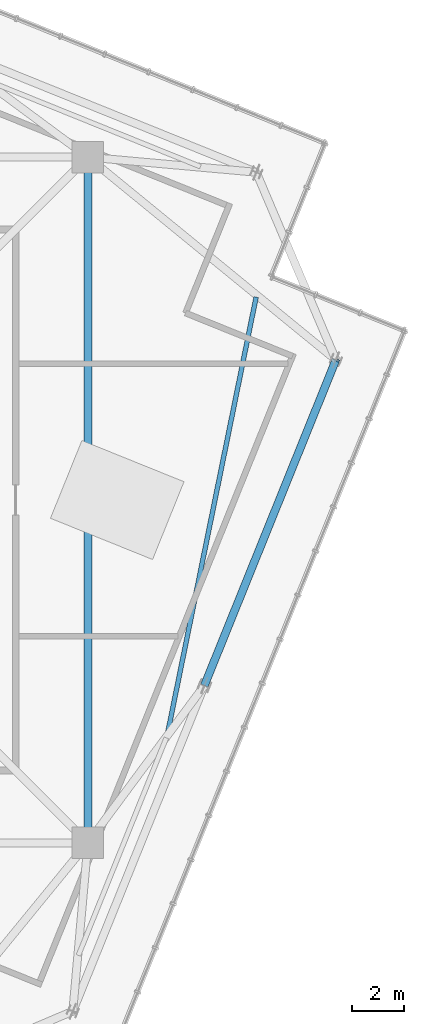
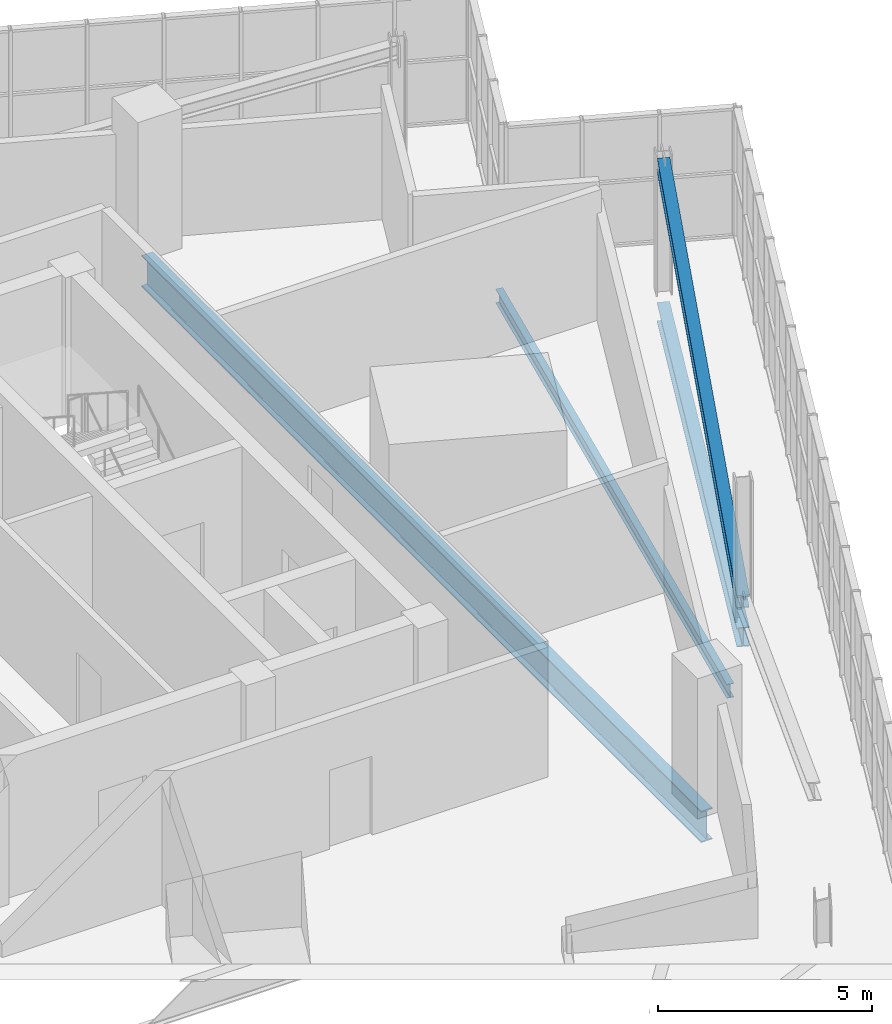
# One storey, part 10 of 26: 3 beams, 1 member.
"""IFC4 building model written with IfcOpenShell, lengths in metres."""

from ifc_helpers import new_model, si_unit, direction, frame, origin, origin_2d, place, context, subcontext, project, spatial, i_section, extrude, source, transform, mapped, material, material_profile, profile_set, type_object, element, save


model = new_model("IFC4")

# Units and contexts
model_context = context("Model", 3, precision=1e-05, world=origin(), true_north=direction((0.0, 1.0)))
body_context = subcontext(model_context, "Body", "Model", "MODEL_VIEW")
ifc_project = project(units=[si_unit("LENGTHUNIT", "METRE"), si_unit("AREAUNIT", "SQUARE_METRE"), si_unit("VOLUMEUNIT", "CUBIC_METRE"), si_unit("PLANEANGLEUNIT", "RADIAN"), si_unit("MASSUNIT", "GRAM", prefix="KILO"), si_unit("THERMODYNAMICTEMPERATUREUNIT", "KELVIN")], contexts=[model_context])

# Site, building, storey
site_placement = place(None, origin())
site = spatial("IfcSite", under=ifc_project, at=site_placement, CompositionType="ELEMENT")
building_placement = place(site_placement, origin())
building = spatial("IfcBuilding", under=site, at=building_placement, Name="Kosmvard Interchange Tower", CompositionType="ELEMENT")
storey_placement = place(building_placement, frame((0.0, 0.0, 325.60009765625)))
storey = spatial("IfcBuildingStorey", under=building, at=storey_placement, Name="L80", CompositionType="ELEMENT", Elevation=325.60009765625)

# Beam
ifc_material = material(Name="Steel S355", Category="steel")
ifc_material_profile_1 = material_profile(ifc_material, i_section(OverallWidth=0.300048828125, OverallDepth=0.89990234375, WebThickness=0.0185546875, FlangeThickness=0.034912109375, FilletRadius=0.030029296875, at=origin_2d()), Name="HEB 900")
ifc_profile_set_1 = profile_set([ifc_material_profile_1], Name="Steel S355")
beam_type_1 = type_object("IfcBeamType", Name="Mega-Column Ring Girder HEB 900 S355", PredefinedType="BEAM", material=ifc_profile_set_1)
shared_shape_1 = source(origin(), body_context, "Body", "SweptSolid", [
    extrude(i_section(OverallWidth=0.300048828125, OverallDepth=0.89990234375, WebThickness=0.0185546875, FlangeThickness=0.034912109375, FilletRadius=0.030029296875, at=origin_2d()), origin(), (0.0, 0.0, 1.0), 26.162109375),
])
beam_1_placement = place(storey_placement, frame((13.0810546875, -13.0810546875, -0.75), z_axis=(0.0, 1.0, 0.0), x_axis=(-1.0, 0.0, 0.0)))
element("IfcBeam", 1, at=beam_1_placement, inside=storey, type_object=beam_type_1, Name="L80 Mega-Column Ring Girder 2", PredefinedType="BEAM", context=body_context, shape_type="MappedRepresentation", body=[
    mapped(shared_shape_1, transform((0.0, 0.0, 0.0), scale=1.0)),
])

# Member
ifc_material_profile_2 = material_profile(ifc_material, i_section(OverallWidth=0.300048828125, OverallDepth=0.39990234375, WebThickness=0.013427734375, FlangeThickness=0.02392578125, FilletRadius=0.027099609375, at=origin_2d()), Name="HEB 400")
ifc_profile_set_2 = profile_set([ifc_material_profile_2], Name="Steel S355")
member_type = type_object("IfcMemberType", Name="Lantern Crown Diagrid Brace HEB 400 S355", PredefinedType="BRACE", material=ifc_profile_set_2)
shared_shape_2 = source(origin(), body_context, "Body", "SweptSolid", [
    extrude(i_section(OverallWidth=0.300048828125, OverallDepth=0.39990234375, WebThickness=0.013427734375, FlangeThickness=0.02392578125, FilletRadius=0.027099609375, at=origin_2d()), origin(), (0.0, 0.0, 1.0), 13.783935546875),
])
member_placement = place(storey_placement, frame((17.523681640625, -7.080078125, 0.419921875), z_axis=(0.364177999122, 0.901367558742, 0.234330768366), x_axis=(-0.927183187789, 0.374608243744, 0.0)))
element("IfcMember", 2, at=member_placement, inside=storey, type_object=member_type, Name="L80 Crown Lantern Diagrid Brace S2", PredefinedType="BRACE", context=body_context, shape_type="MappedRepresentation", body=[
    mapped(shared_shape_2, transform((0.0, 0.0, 0.0), scale=1.0)),
])

# Beams
ifc_material_profile_3 = material_profile(ifc_material, i_section(OverallWidth=0.300048828125, OverallDepth=0.550048828125, WebThickness=0.014892578125, FlangeThickness=0.029052734375, FilletRadius=0.027099609375, at=origin_2d()), Name="HEB 550")
ifc_profile_set_3 = profile_set([ifc_material_profile_3], Name="Steel S355")
beam_type_2 = type_object("IfcBeamType", Name="Crown Ring Cap Girder HEB 550 S355", PredefinedType="BEAM", material=ifc_profile_set_3)
shared_shape_3 = source(origin(), body_context, "Body", "SweptSolid", [
    extrude(i_section(OverallWidth=0.300048828125, OverallDepth=0.550048828125, WebThickness=0.014892578125, FlangeThickness=0.029052734375, FilletRadius=0.027099609375, at=origin_2d()), origin(), (0.0, 0.0, 1.0), 13.400146484375),
])
beam_2_placement = place(storey_placement, frame((17.523681640625, -7.080078125, -0.5751953125), z_axis=(0.374608243744, 0.927183187789, 0.0), x_axis=(-0.927183187789, 0.374608243744, 0.0)))
element("IfcBeam", 3, at=beam_2_placement, inside=storey, type_object=beam_type_2, Name="BM-L80-PR02", PredefinedType="BEAM", context=body_context, shape_type="MappedRepresentation", body=[
    mapped(shared_shape_3, transform((0.0, 0.0, 0.0), scale=1.0)),
])
ifc_material_profile_4 = material_profile(ifc_material, i_section(OverallWidth=0.179931640625, OverallDepth=0.39990234375, WebThickness=0.008544921875, FlangeThickness=0.013427734375, FilletRadius=0.02099609375, at=origin_2d()), Name="IPE 400")
ifc_profile_set_4 = profile_set([ifc_material_profile_4], Name="Steel S355")
beam_type_3 = type_object("IfcBeamType", Name="Upper-Zone Floor Joist IPE 400 S355", PredefinedType="JOIST", material=ifc_profile_set_4)
shared_shape_4 = source(origin(), body_context, "Body", "SweptSolid", [
    extrude(i_section(OverallWidth=0.179931640625, OverallDepth=0.39990234375, WebThickness=0.008544921875, FlangeThickness=0.013427734375, FilletRadius=0.02099609375, at=origin_2d()), origin(), (0.0, 0.0, 1.0), 17.0029296875),
])
beam_3_placement = place(storey_placement, frame((16.117919921875, -8.921875, -0.5), z_axis=(0.198882162837, 0.98002341059, 0.0), x_axis=(-0.98002341059, 0.198882162837, 0.0)))
element("IfcBeam", 4, at=beam_3_placement, inside=storey, type_object=beam_type_3, Name="BM-L80-FJ02", PredefinedType="JOIST", context=body_context, shape_type="MappedRepresentation", body=[
    mapped(shared_shape_4, transform((0.0, 0.0, 0.0), scale=1.0)),
])

save(model, "model.ifc")
